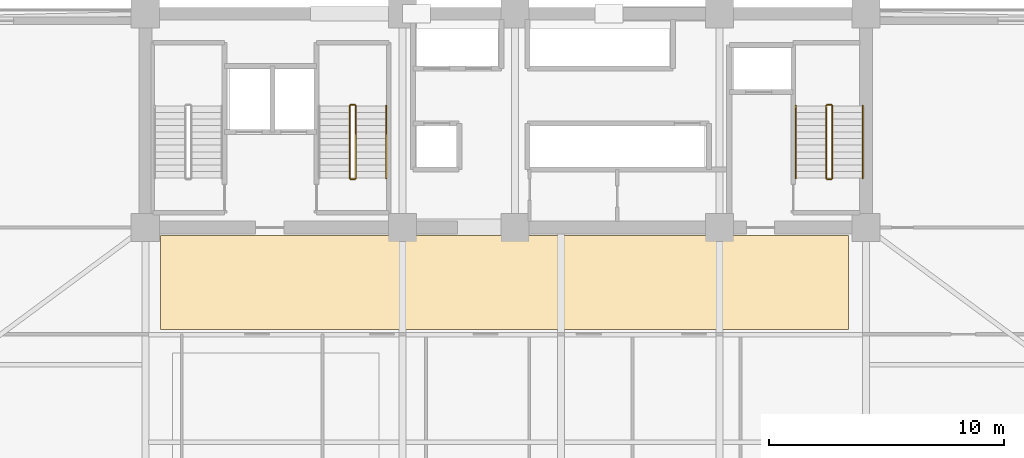
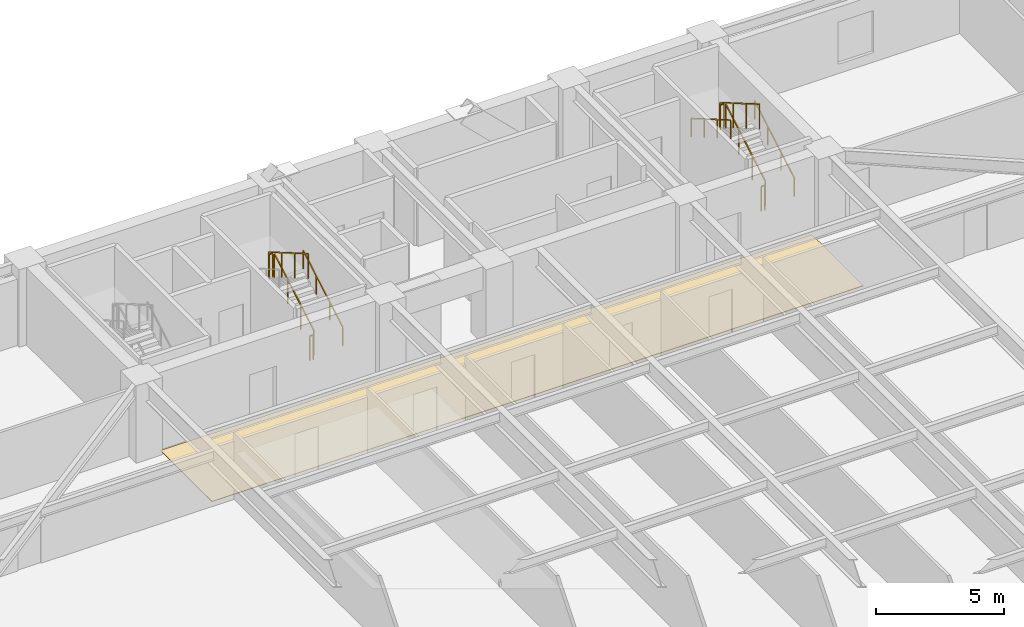
# One storey, part 15 of 16: 11 railings, 1 covering.
"""IFC4 building model written with IfcOpenShell, lengths in metres."""

from ifc_helpers import new_model, si_unit, direction, frame, origin, origin_2d, place, context, subcontext, project, spatial, polyline, rectangle, outline, extrude, material, layer, layer_set, type_object, element, save


model = new_model("IFC4")

# Units and contexts
model_context = context("Model", 3, precision=1e-05, world=origin(), true_north=direction((0.0, 1.0)))
body_context = subcontext(model_context, "Body", "Model", "MODEL_VIEW")
ifc_project = project(units=[si_unit("LENGTHUNIT", "METRE"), si_unit("AREAUNIT", "SQUARE_METRE"), si_unit("VOLUMEUNIT", "CUBIC_METRE"), si_unit("PLANEANGLEUNIT", "RADIAN"), si_unit("MASSUNIT", "GRAM", prefix="KILO")], contexts=[model_context])

# Site, building, storey
site_placement = place(None, origin())
site = spatial("IfcSite", under=ifc_project, at=site_placement, CompositionType="ELEMENT")
building_placement = place(site_placement, origin())
building = spatial("IfcBuilding", under=site, at=building_placement, Name="Giltprow Tower", CompositionType="ELEMENT")
storey_placement = place(building_placement, frame((0.0, 0.0, 79.60009765625)))
storey = spatial("IfcBuildingStorey", under=building, at=storey_placement, Name="L19", CompositionType="ELEMENT", Elevation=79.60009765625)

# Covering
ifc_material_1 = material(Name="Honed granite", Category="masonry")
ifc_layer = layer(ifc_material_1, 0.030029296875, Name="Honed granite")
ifc_layer_set = layer_set([ifc_layer], Name="Honed granite")
covering_type = type_object("IfcCoveringType", Name="COV-FLR-STONE", PredefinedType="FLOORING", material=ifc_layer_set)
covering_placement = place(storey_placement, origin())
element("IfcCovering", 1, at=covering_placement, inside=storey, type_object=covering_type, Name="L19 Office Corridor Stone Flooring", PredefinedType="FLOORING", context=body_context, shape_type="SweptSolid", body=[
    extrude(outline(polyline([(20.5, 33.10009765625), (49.800048828125, 33.10009765625), (49.800048828125, 37.10009765625), (20.5, 37.10009765625), (20.5, 33.10009765625)])), origin(), (0.0, 0.0, 1.0), 0.02978515625),
])

# Railings
ifc_material_2 = material(Name="Anodized bronze", Category="metal")
railing_type_1 = type_object("IfcRailingType", Name="RAIL-STAIR-GUARD-1200", PredefinedType="GUARDRAIL", material=ifc_material_2)
railing_1_placement = place(storey_placement, frame((28.81005859375, 39.550048828125, 0.162353515625)))
element("IfcRailing", 2, at=railing_1_placement, inside=storey, type_object=railing_type_1, Name="L19 ST-2 stair guard 1", PredefinedType="GUARDRAIL", context=body_context, shape_type="SweptSolid", body=[
    extrude(rectangle(XDim=0.048095703125, YDim=0.048095703125, at=origin_2d()), frame((0.0, 0.0, 1.17578125), z_axis=(0.0, 0.864873446163, 0.501989962173), x_axis=(-1.0, 0.0, 0.0)), (0.0, 0.0, 1.0), 3.56103515625),
    extrude(rectangle(XDim=0.0419921875, YDim=0.0419921875, at=origin_2d()), origin(), (0.0, 0.0, 1.0), 1.15185546875),
    extrude(rectangle(XDim=0.0419921875, YDim=0.0419921875, at=origin_2d()), frame((0.0, 1.026611328125, 0.595947265625)), (0.0, 0.0, 1.0), 1.15185546875),
    extrude(rectangle(XDim=0.0419921875, YDim=0.0419921875, at=origin_2d()), frame((0.0, 2.05322265625, 1.191650390625)), (0.0, 0.0, 1.0), 1.15185546875),
    extrude(rectangle(XDim=0.0419921875, YDim=0.0419921875, at=origin_2d()), frame((0.0, 3.079833984375, 1.78759765625)), (0.0, 0.0, 1.0), 1.15185546875),
])
railing_2_placement = place(storey_placement, frame((28.760009765625, 42.679931640625, 1.949951171875)))
element("IfcRailing", 3, at=railing_2_placement, inside=storey, type_object=railing_type_1, Name="L19 ST-2 stair guard 2", PredefinedType="GUARDRAIL", context=body_context, shape_type="SweptSolid", body=[
    extrude(rectangle(XDim=0.048095703125, YDim=0.048095703125, at=origin_2d()), frame((0.0, 0.0, 1.17578125), z_axis=(-1.0, 0.0, 0.0), x_axis=(0.0, -1.0, 0.0)), (0.0, 0.0, 1.0), 0.159912109375),
    extrude(rectangle(XDim=0.0419921875, YDim=0.0419921875, at=origin_2d()), origin(), (0.0, 0.0, 1.0), 1.15185546875),
    extrude(rectangle(XDim=0.0419921875, YDim=0.0419921875, at=origin_2d()), frame((-0.159912109375, 0.0, 0.0)), (0.0, 0.0, 1.0), 1.15185546875),
])
railing_3_placement = place(storey_placement, frame((28.550048828125, 42.6298828125, 2.1123046875)))
element("IfcRailing", 4, at=railing_3_placement, inside=storey, type_object=railing_type_1, Name="L19 ST-2 stair guard 3", PredefinedType="GUARDRAIL", context=body_context, shape_type="SweptSolid", body=[
    extrude(rectangle(XDim=0.048095703125, YDim=0.048095703125, at=origin_2d()), frame((0.0, 0.0, 1.17578125), z_axis=(0.0, -0.864873446163, 0.501989962173), x_axis=(1.0, 0.0, 0.0)), (0.0, 0.0, 1.0), 3.56103515625),
    extrude(rectangle(XDim=0.0419921875, YDim=0.0419921875, at=origin_2d()), origin(), (0.0, 0.0, 1.0), 1.15185546875),
    extrude(rectangle(XDim=0.0419921875, YDim=0.0419921875, at=origin_2d()), frame((0.0, -1.026611328125, 0.595947265625)), (0.0, 0.0, 1.0), 1.15185546875),
    extrude(rectangle(XDim=0.0419921875, YDim=0.0419921875, at=origin_2d()), frame((0.0, -2.05322265625, 1.191650390625)), (0.0, 0.0, 1.0), 1.15185546875),
    extrude(rectangle(XDim=0.0419921875, YDim=0.0419921875, at=origin_2d()), frame((0.0, -3.079833984375, 1.78759765625)), (0.0, 0.0, 1.0), 1.15185546875),
])
railing_4_placement = place(storey_placement, frame((28.760009765625, 39.5, 0.0)))
element("IfcRailing", 5, at=railing_4_placement, inside=storey, type_object=railing_type_1, Name="L19 ST-2 stair guard 4", PredefinedType="GUARDRAIL", context=body_context, shape_type="SweptSolid", body=[
    extrude(rectangle(XDim=0.048095703125, YDim=0.048095703125, at=origin_2d()), frame((0.0, 0.0, 1.17578125), z_axis=(-1.0, 0.0, 0.0), x_axis=(0.0, -1.0, 0.0)), (0.0, 0.0, 1.0), 0.159912109375),
    extrude(rectangle(XDim=0.0419921875, YDim=0.0419921875, at=origin_2d()), origin(), (0.0, 0.0, 1.0), 1.15185546875),
    extrude(rectangle(XDim=0.0419921875, YDim=0.0419921875, at=origin_2d()), frame((-0.159912109375, 0.0, 0.0)), (0.0, 0.0, 1.0), 1.15185546875),
])
railing_5_placement = place(storey_placement, frame((49.110107421875, 39.550048828125, 0.162353515625)))
element("IfcRailing", 6, at=railing_5_placement, inside=storey, type_object=railing_type_1, Name="L19 ST-3 stair guard 1", PredefinedType="GUARDRAIL", context=body_context, shape_type="SweptSolid", body=[
    extrude(rectangle(XDim=0.048095703125, YDim=0.048095703125, at=origin_2d()), frame((0.0, 0.0, 1.17578125), z_axis=(0.0, 0.864873446163, 0.501989962173), x_axis=(-1.0, 0.0, 0.0)), (0.0, 0.0, 1.0), 3.56103515625),
    extrude(rectangle(XDim=0.0419921875, YDim=0.0419921875, at=origin_2d()), origin(), (0.0, 0.0, 1.0), 1.15185546875),
    extrude(rectangle(XDim=0.0419921875, YDim=0.0419921875, at=origin_2d()), frame((0.0, 1.026611328125, 0.595947265625)), (0.0, 0.0, 1.0), 1.15185546875),
    extrude(rectangle(XDim=0.0419921875, YDim=0.0419921875, at=origin_2d()), frame((0.0, 2.05322265625, 1.191650390625)), (0.0, 0.0, 1.0), 1.15185546875),
    extrude(rectangle(XDim=0.0419921875, YDim=0.0419921875, at=origin_2d()), frame((0.0, 3.079833984375, 1.78759765625)), (0.0, 0.0, 1.0), 1.15185546875),
])
railing_6_placement = place(storey_placement, frame((49.06005859375, 42.679931640625, 1.949951171875)))
element("IfcRailing", 7, at=railing_6_placement, inside=storey, type_object=railing_type_1, Name="L19 ST-3 stair guard 2", PredefinedType="GUARDRAIL", context=body_context, shape_type="SweptSolid", body=[
    extrude(rectangle(XDim=0.048095703125, YDim=0.048095703125, at=origin_2d()), frame((0.0, 0.0, 1.17578125), z_axis=(-1.0, 0.0, 0.0), x_axis=(0.0, -1.0, 0.0)), (0.0, 0.0, 1.0), 0.16015625),
    extrude(rectangle(XDim=0.0419921875, YDim=0.0419921875, at=origin_2d()), origin(), (0.0, 0.0, 1.0), 1.15185546875),
    extrude(rectangle(XDim=0.0419921875, YDim=0.0419921875, at=origin_2d()), frame((-0.16015625, 0.0, 0.0)), (0.0, 0.0, 1.0), 1.15185546875),
])
railing_7_placement = place(storey_placement, frame((48.85009765625, 42.6298828125, 2.1123046875)))
element("IfcRailing", 8, at=railing_7_placement, inside=storey, type_object=railing_type_1, Name="L19 ST-3 stair guard 3", PredefinedType="GUARDRAIL", context=body_context, shape_type="SweptSolid", body=[
    extrude(rectangle(XDim=0.048095703125, YDim=0.048095703125, at=origin_2d()), frame((0.0, 0.0, 1.17578125), z_axis=(0.0, -0.864873446163, 0.501989962173), x_axis=(1.0, 0.0, 0.0)), (0.0, 0.0, 1.0), 3.56103515625),
    extrude(rectangle(XDim=0.0419921875, YDim=0.0419921875, at=origin_2d()), origin(), (0.0, 0.0, 1.0), 1.15185546875),
    extrude(rectangle(XDim=0.0419921875, YDim=0.0419921875, at=origin_2d()), frame((0.0, -1.026611328125, 0.595947265625)), (0.0, 0.0, 1.0), 1.15185546875),
    extrude(rectangle(XDim=0.0419921875, YDim=0.0419921875, at=origin_2d()), frame((0.0, -2.05322265625, 1.191650390625)), (0.0, 0.0, 1.0), 1.15185546875),
    extrude(rectangle(XDim=0.0419921875, YDim=0.0419921875, at=origin_2d()), frame((0.0, -3.079833984375, 1.78759765625)), (0.0, 0.0, 1.0), 1.15185546875),
])
railing_8_placement = place(storey_placement, frame((49.06005859375, 39.5, 0.0)))
element("IfcRailing", 9, at=railing_8_placement, inside=storey, type_object=railing_type_1, Name="L19 ST-3 stair guard 4", PredefinedType="GUARDRAIL", context=body_context, shape_type="SweptSolid", body=[
    extrude(rectangle(XDim=0.048095703125, YDim=0.048095703125, at=origin_2d()), frame((0.0, 0.0, 1.17578125), z_axis=(-1.0, 0.0, 0.0), x_axis=(0.0, -1.0, 0.0)), (0.0, 0.0, 1.0), 0.16015625),
    extrude(rectangle(XDim=0.0419921875, YDim=0.0419921875, at=origin_2d()), origin(), (0.0, 0.0, 1.0), 1.15185546875),
    extrude(rectangle(XDim=0.0419921875, YDim=0.0419921875, at=origin_2d()), frame((-0.16015625, 0.0, 0.0)), (0.0, 0.0, 1.0), 1.15185546875),
])
railing_type_2 = type_object("IfcRailingType", Name="RAIL-STAIR-HAND-900", PredefinedType="HANDRAIL", material=ifc_material_2)
for number, where, name in (
    (10, (30.110107421875, 39.550048828125, 0.162353515625), "L19 ST-2 stair handrail 1"),
    (11, (50.409912109375, 39.550048828125, 0.162353515625), "L19 ST-3 stair handrail 1"),
):
    element("IfcRailing", number, at=place(storey_placement, frame(where)), inside=storey, type_object=railing_type_2, Name=name, PredefinedType="HANDRAIL", context=body_context, shape_type="SweptSolid", body=[
        extrude(rectangle(XDim=0.048095703125, YDim=0.048095703125, at=origin_2d()), frame((0.0, 0.0, 0.8759765625), z_axis=(0.0, 0.864873446163, 0.501989962173), x_axis=(-1.0, 0.0, 0.0)), (0.0, 0.0, 1.0), 3.56103515625),
        extrude(rectangle(XDim=0.0419921875, YDim=0.0419921875, at=origin_2d()), origin(), (0.0, 0.0, 1.0), 0.851806640625),
        extrude(rectangle(XDim=0.0419921875, YDim=0.0419921875, at=origin_2d()), frame((0.0, 1.026611328125, 0.595947265625)), (0.0, 0.0, 1.0), 0.851806640625),
        extrude(rectangle(XDim=0.0419921875, YDim=0.0419921875, at=origin_2d()), frame((0.0, 2.05322265625, 1.191650390625)), (0.0, 0.0, 1.0), 0.851806640625),
        extrude(rectangle(XDim=0.0419921875, YDim=0.0419921875, at=origin_2d()), frame((0.0, 3.079833984375, 1.78759765625)), (0.0, 0.0, 1.0), 0.851806640625),
    ])
railing_9_placement = place(storey_placement, frame((47.550048828125, 42.6298828125, 2.1123046875)))
element("IfcRailing", 12, at=railing_9_placement, inside=storey, type_object=railing_type_2, Name="L19 ST-3 stair handrail 2", PredefinedType="HANDRAIL", context=body_context, shape_type="SweptSolid", body=[
    extrude(rectangle(XDim=0.048095703125, YDim=0.048095703125, at=origin_2d()), frame((0.0, 0.0, 0.8759765625), z_axis=(0.0, -0.864873446163, 0.501989962173), x_axis=(1.0, 0.0, 0.0)), (0.0, 0.0, 1.0), 3.56103515625),
    extrude(rectangle(XDim=0.0419921875, YDim=0.0419921875, at=origin_2d()), origin(), (0.0, 0.0, 1.0), 0.851806640625),
    extrude(rectangle(XDim=0.0419921875, YDim=0.0419921875, at=origin_2d()), frame((0.0, -1.026611328125, 0.595947265625)), (0.0, 0.0, 1.0), 0.851806640625),
    extrude(rectangle(XDim=0.0419921875, YDim=0.0419921875, at=origin_2d()), frame((0.0, -2.05322265625, 1.191650390625)), (0.0, 0.0, 1.0), 0.851806640625),
    extrude(rectangle(XDim=0.0419921875, YDim=0.0419921875, at=origin_2d()), frame((0.0, -3.079833984375, 1.78759765625)), (0.0, 0.0, 1.0), 0.851806640625),
])

save(model, "model.ifc")
